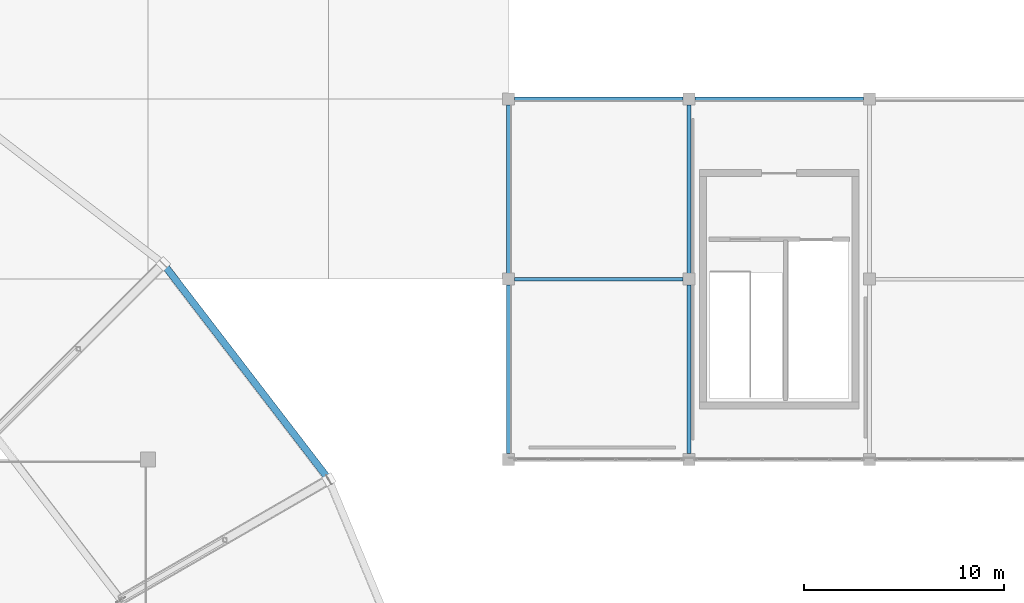
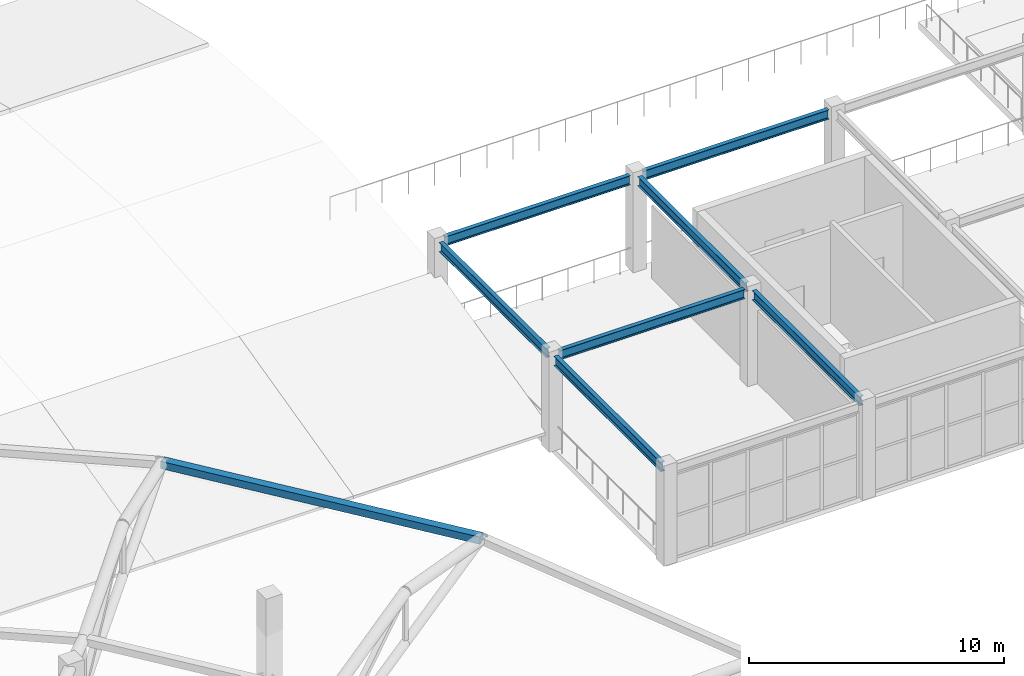
# One storey, part 98 of 167: 7 beams, 1 member.
"""IFC4 building model written with IfcOpenShell, lengths in metres."""

from ifc_helpers import new_model, si_unit, direction, frame, origin, origin_2d, place, context, subcontext, project, spatial, hollow_rectangle, i_section, extrude, material, material_profile, profile_set, type_object, element, save


model = new_model("IFC4")

# Units and contexts
model_context = context("Model", 3, precision=1e-05, world=origin(), true_north=direction((0.0, 1.0)))
body_context = subcontext(model_context, "Body", "Model", "MODEL_VIEW")
ifc_project = project(units=[si_unit("LENGTHUNIT", "METRE"), si_unit("AREAUNIT", "SQUARE_METRE"), si_unit("VOLUMEUNIT", "CUBIC_METRE"), si_unit("PLANEANGLEUNIT", "RADIAN"), si_unit("MASSUNIT", "GRAM", prefix="KILO")], contexts=[model_context])

# Site, building, storey
site_placement = place(None, origin())
site = spatial("IfcSite", under=ifc_project, at=site_placement, CompositionType="ELEMENT")
building_placement = place(site_placement, origin())
building = spatial("IfcBuilding", under=site, at=building_placement, Name="Dornveld Trade and Exhibition Forum", CompositionType="ELEMENT")
storey_placement = place(building_placement, frame((0.0, 0.0, 16.800048828125)))
storey = spatial("IfcBuildingStorey", under=building, at=storey_placement, Name="L03", CompositionType="ELEMENT", Elevation=16.800048828125)

# Beams
ifc_material_1 = material(Name="Steel S355J2", Category="steel")
ifc_material_profile_1 = material_profile(ifc_material_1, i_section(OverallWidth=0.18994140625, OverallDepth=0.449951171875, WebThickness=0.009521484375, FlangeThickness=0.0146484375, FilletRadius=0.02099609375, at=origin_2d()), Name="IPE 450")
ifc_profile_set_1 = profile_set([ifc_material_profile_1], Name="Steel S355J2")
beam_type = type_object("IfcBeamType", Name="BM-SEC-450", PredefinedType="BEAM", material=ifc_profile_set_1)
for number, where, z_axis, x_axis, name in (
    (1, (171.2958984375, 117.0, 4.324951171875), (1.0, 0.0, 0.0), (0.0, 1.0, 0.0), "L03 X-girder 1638"),
    (2, (171.2958984375, 126.0, 4.324951171875), (1.0, 0.0, 0.0), (0.0, 1.0, 0.0), "L03 X-girder 1640"),
    (3, (180.2958984375, 126.0, 4.324951171875), (1.0, 0.0, 0.0), (0.0, 1.0, 0.0), "L03 X-girder 1641"),
    (4, (171.0, 108.2958984375, 4.324951171875), (0.0, 1.0, 0.0), (-1.0, 0.0, 0.0), "L03 Y-girder 1643"),
    (5, (171.0, 117.2958984375, 4.324951171875), (0.0, 1.0, 0.0), (-1.0, 0.0, 0.0), "L03 Y-girder 1644"),
    (6, (180.0, 108.2958984375, 4.324951171875), (0.0, 1.0, 0.0), (-1.0, 0.0, 0.0), "L03 Y-girder 1645"),
    (7, (180.0, 117.2958984375, 4.324951171875), (0.0, 1.0, 0.0), (-1.0, 0.0, 0.0), "L03 Y-girder 1646"),
):
    element("IfcBeam", number, at=place(storey_placement, frame(where, z_axis=z_axis, x_axis=x_axis)), inside=storey, type_object=beam_type, Name=name, PredefinedType="BEAM", context=body_context, shape_type="SweptSolid", body=[
        extrude(i_section(OverallWidth=0.18994140625, OverallDepth=0.449951171875, WebThickness=0.009521484375, FlangeThickness=0.0146484375, FilletRadius=0.02099609375, at=origin_2d()), origin(), (0.0, 0.0, 1.0), 8.408203125),
    ])

# Member
ifc_material_2 = material(Name="Steel S355J2", Category="steel")
ifc_material_profile_2 = material_profile(ifc_material_2, hollow_rectangle(XDim=0.35009765625, YDim=0.35009765625, WallThickness=0.01611328125, at=origin_2d()), Name="SHS 350x350x16")
ifc_profile_set_2 = profile_set([ifc_material_profile_2], Name="Steel S355J2")
member_type = type_object("IfcMemberType", Name="MEM-DISC-RING", PredefinedType="CHORD", material=ifc_profile_set_2)
member_placement = place(storey_placement, frame((162.033203125, 107.0, 4.800048828125), z_axis=(-0.608757714995, 0.79335619014, 0.0), x_axis=(-0.79335619014, -0.608757714995, 0.0)))
element("IfcMember", 8, at=member_placement, inside=storey, type_object=member_type, Name="Roof disc ring 4 chord 3", PredefinedType="CHORD", context=body_context, shape_type="SweptSolid", body=[
    extrude(hollow_rectangle(XDim=0.35009765625, YDim=0.35009765625, WallThickness=0.01611328125, at=origin_2d()), origin(), (0.0, 0.0, 1.0), 13.57470703125),
])

save(model, "model.ifc")
